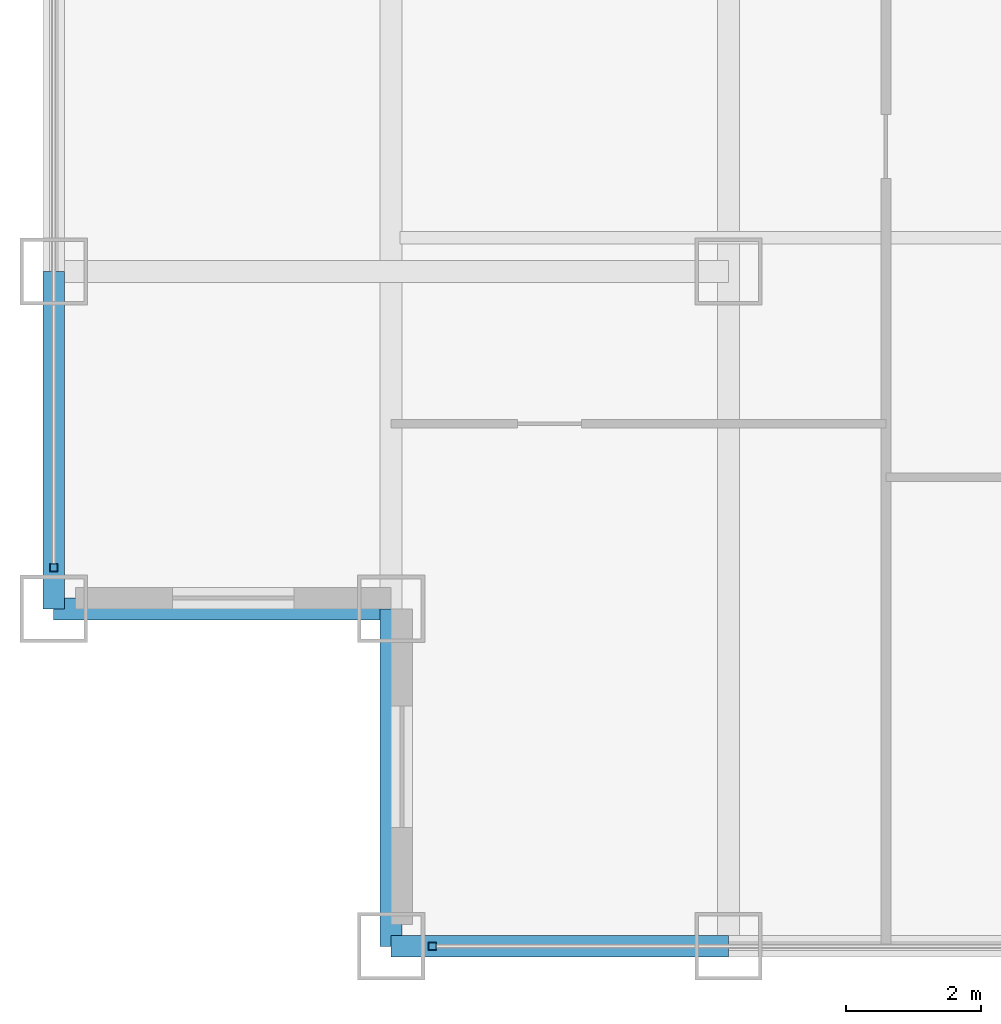
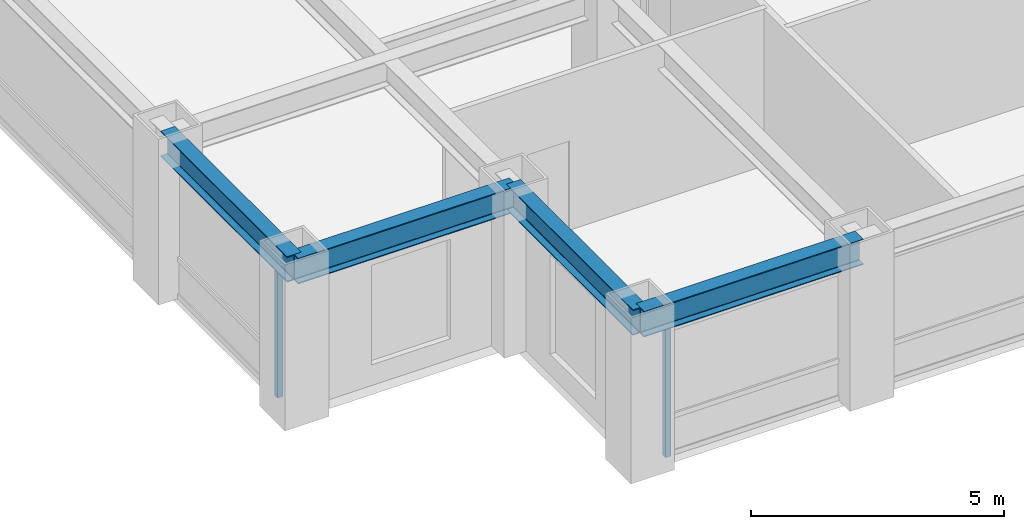
# One storey, part 2 of 24: 4 beams, 2 members, 2 elements without a shape of their own.
"""IFC4 building model written with IfcOpenShell, lengths in metres."""

from ifc_helpers import new_model, si_unit, direction, frame, origin, origin_2d, place, context, subcontext, project, spatial, hollow_rectangle, i_section, extrude, source, transform, mapped, material, material_profile, profile_set, type_object, element, aggregate, save


model = new_model("IFC4")

# Units and contexts
model_context = context("Model", 3, precision=1e-05, world=origin(), true_north=direction((0.0, 1.0)))
body_context = subcontext(model_context, "Body", "Model", "MODEL_VIEW")
ifc_project = project(units=[si_unit("LENGTHUNIT", "METRE"), si_unit("AREAUNIT", "SQUARE_METRE"), si_unit("VOLUMEUNIT", "CUBIC_METRE"), si_unit("PLANEANGLEUNIT", "RADIAN"), si_unit("MASSUNIT", "GRAM", prefix="KILO")], contexts=[model_context])

# Site, building, storey
site_placement = place(None, origin())
site = spatial("IfcSite", under=ifc_project, at=site_placement, CompositionType="ELEMENT")
building_placement = place(site_placement, origin())
building = spatial("IfcBuilding", under=site, at=building_placement, Name="Khorayat Bourse Tower", CompositionType="ELEMENT")
storey_placement = place(building_placement, frame((0.0, 0.0, 215.10009765625)))
storey = spatial("IfcBuildingStorey", under=building, at=storey_placement, Name="L50", CompositionType="ELEMENT", Elevation=215.10009765625)

# Beams
ifc_material_1 = material(Name="Steel ASTM A992 Grade 50", Category="steel")
ifc_material_profile_1 = material_profile(ifc_material_1, i_section(OverallWidth=0.324951171875, OverallDepth=0.615966796875, WebThickness=0.013916015625, FlangeThickness=0.021484375, FilletRadius=0.01611328125, at=origin_2d()), Name="W610X174")
ifc_profile_set_1 = profile_set([ifc_material_profile_1], Name="Steel ASTM A992 Grade 50")
beam_type = type_object("IfcBeamType", Name="BM-SPAN-610", PredefinedType="SPANDREL", material=ifc_profile_set_1)
shared_shape_1 = source(origin(), body_context, "Body", "SweptSolid", [
    extrude(i_section(OverallWidth=0.324951171875, OverallDepth=0.615966796875, WebThickness=0.013916015625, FlangeThickness=0.021484375, FilletRadius=0.01611328125, at=origin_2d()), origin(), (0.0, 0.0, 1.0), 5.0),
])
for number, where, z_axis, x_axis, name in (
    (1, (-25.0, -30.0, 3.471923828125), (1.0, 0.0, 0.0), (0.0, 1.0, 0.0), "L50 BM-SPAN-610 BM-L50-SPN-024"),
    (2, (-30.0, -25.0, 3.471923828125), (0.0, 1.0, 0.0), (-1.0, 0.0, 0.0), "L50 BM-SPAN-610 BM-L50-SPN-061"),
    (3, (-30.0, -25.0, 3.471923828125), (1.0, 0.0, 0.0), (0.0, 1.0, 0.0), "L50 BM-SPAN-610 BM-L50-SPN-062"),
    (4, (-25.0, -30.0, 3.471923828125), (0.0, 1.0, 0.0), (-1.0, 0.0, 0.0), "L50 BM-SPAN-610 BM-L50-SPN-063"),
):
    element("IfcBeam", number, at=place(storey_placement, frame(where, z_axis=z_axis, x_axis=x_axis)), inside=storey, type_object=beam_type, Name=name, PredefinedType="SPANDREL", context=body_context, shape_type="MappedRepresentation", body=[
        mapped(shared_shape_1, transform((0.0, 0.0, 0.0), scale=1.0)),
    ])

# Curtain wall, member
ifc_material_2 = material(Name="Aluminium EN AW-6063 T6", Category="aluminium")
curtain_wall_type = type_object("IfcCurtainWallType", Name="CW-SYS-03", PredefinedType="NOTDEFINED", material=ifc_material_2)
curtain_wall_1_placement = place(storey_placement, origin())
curtain_wall_1 = element("IfcCurtainWall", 5, at=curtain_wall_1_placement, inside=storey, type_object=curtain_wall_type, Name="L50 Curtain Wall CW-L50-S1", PredefinedType="NOTDEFINED")
ifc_material_profile_2 = material_profile(ifc_material_2, hollow_rectangle(XDim=0.1201171875, YDim=0.1201171875, WallThickness=0.0048828125, at=origin_2d()), Name="ALU 120x120x5")
ifc_profile_set_2 = profile_set([ifc_material_profile_2], Name="Aluminium EN AW-6063 T6")
member_type = type_object("IfcMemberType", Name="CWM-VERT-120", PredefinedType="MULLION", material=ifc_profile_set_2)
shared_shape_2 = source(origin(), body_context, "Body", "SweptSolid", [
    extrude(hollow_rectangle(XDim=0.1201171875, YDim=0.1201171875, WallThickness=0.0048828125, at=origin_2d()), origin(), (0.0, 0.0, 1.0), 3.1298828125),
])
member_1_placement = place(storey_placement, frame((-24.389892578125, -30.0, 0.0), z_axis=(0.0, 0.0, 1.0), x_axis=(0.0, 1.0, 0.0)))
member_1 = element("IfcMember", 6, at=member_1_placement, type_object=member_type, Name="CW-L50-S1 Vertical Mullion 1", PredefinedType="MULLION", context=body_context, shape_type="MappedRepresentation", body=[
    mapped(shared_shape_2, transform((0.0, 0.0, 0.0), scale=1.0)),
])
aggregate(curtain_wall_1, [member_1])

curtain_wall_2_placement = place(storey_placement, origin())
curtain_wall_2 = element("IfcCurtainWall", 7, at=curtain_wall_2_placement, inside=storey, type_object=curtain_wall_type, Name="L50 Curtain Wall CW-L50-W1", PredefinedType="NOTDEFINED")
member_2_placement = place(storey_placement, frame((-30.0, -24.389892578125, 0.0), z_axis=(0.0, 0.0, 1.0), x_axis=(-1.0, 0.0, 0.0)))
member_2 = element("IfcMember", 8, at=member_2_placement, type_object=member_type, Name="CW-L50-W1 Vertical Mullion 1", PredefinedType="MULLION", context=body_context, shape_type="MappedRepresentation", body=[
    mapped(shared_shape_2, transform((0.0, 0.0, 0.0), scale=1.0)),
])
aggregate(curtain_wall_2, [member_2])

save(model, "model.ifc")
